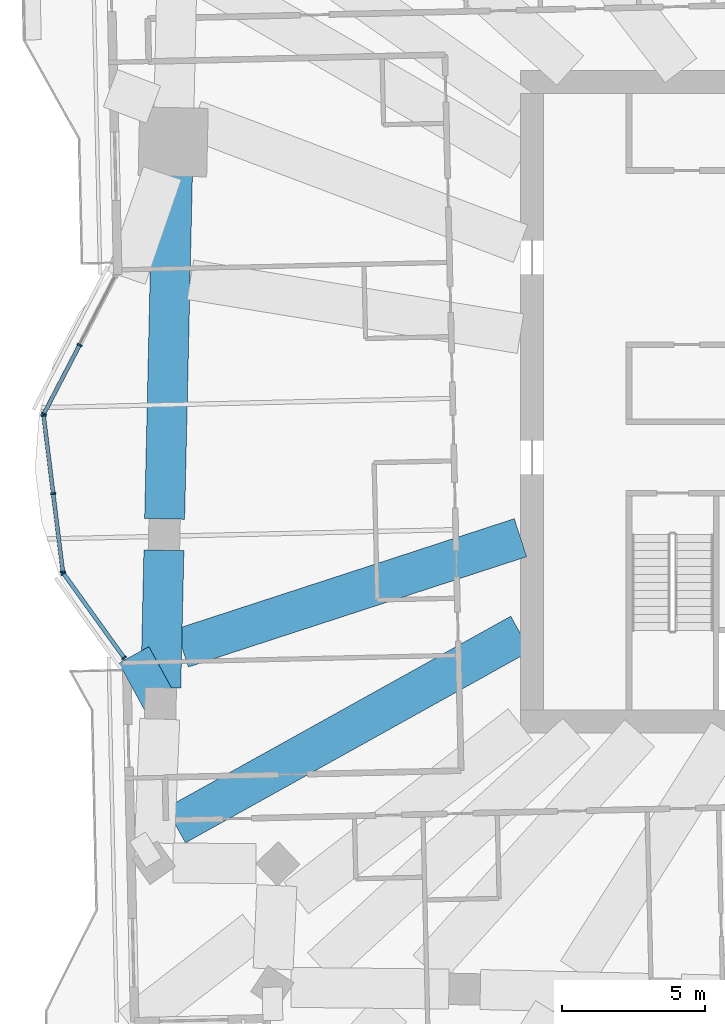
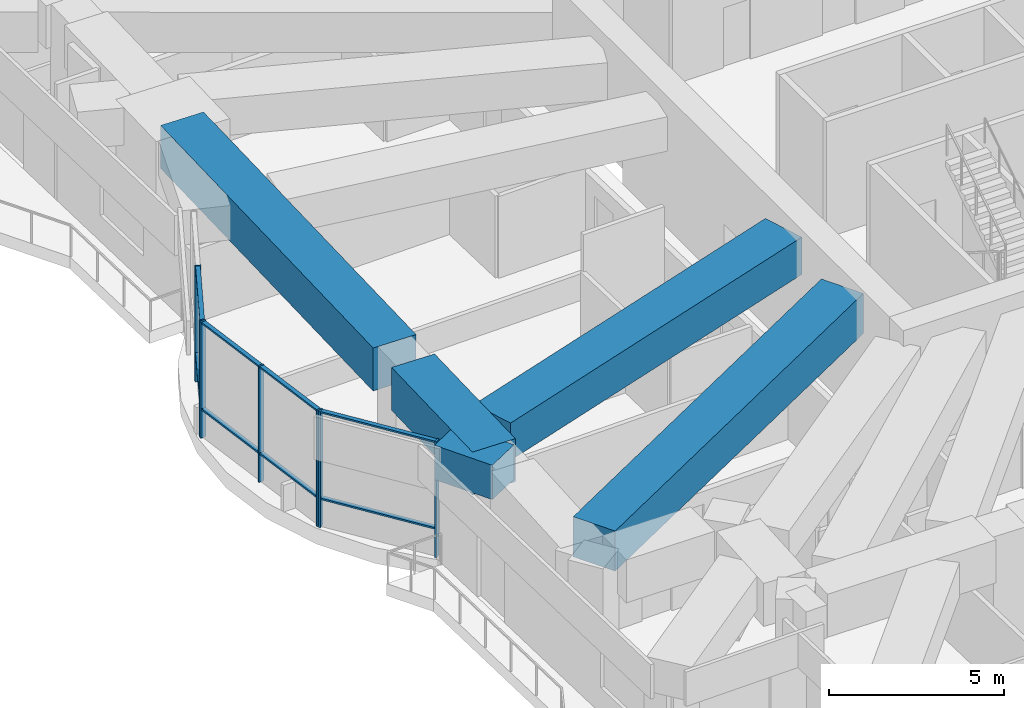
# One storey, part 2 of 19: 15 members, 5 beams, 3 elements without a shape of their own.
"""IFC4 building model written with IfcOpenShell, lengths in metres."""

from ifc_helpers import new_model, si_unit, direction, frame, origin, origin_2d, place, context, subcontext, project, spatial, rectangle, extrude, material, material_profile, profile_set, type_object, element, aggregate, save


model = new_model("IFC4")

# Units and contexts
model_context = context("Model", 3, precision=1e-05, world=origin(), true_north=direction((0.0, 1.0)))
body_context = subcontext(model_context, "Body", "Model", "MODEL_VIEW")
ifc_project = project(units=[si_unit("LENGTHUNIT", "METRE"), si_unit("AREAUNIT", "SQUARE_METRE"), si_unit("VOLUMEUNIT", "CUBIC_METRE"), si_unit("PLANEANGLEUNIT", "RADIAN"), si_unit("MASSUNIT", "GRAM", prefix="KILO")], contexts=[model_context])

# Site, building, storey
site_placement = place(None, origin())
site = spatial("IfcSite", under=ifc_project, at=site_placement, CompositionType="ELEMENT")
building_placement = place(site_placement, origin())
building = spatial("IfcBuilding", under=site, at=building_placement, Name="Mangrove Gate Tower", CompositionType="ELEMENT")
storey_placement = place(building_placement, frame((0.0, 0.0, 226.5)))
storey = spatial("IfcBuildingStorey", under=building, at=storey_placement, Name="L57", CompositionType="ELEMENT", Elevation=226.5)

# Curtain wall, members
ifc_material_1 = material(Name="Aluminium and glass curtain wall", Category="aluminium")
curtain_wall_type = type_object("IfcCurtainWallType", Name="Sky-lounge glazing wall", PredefinedType="NOTDEFINED", material=ifc_material_1)
curtain_wall_1_placement = place(storey_placement, origin())
curtain_wall_1 = element("IfcCurtainWall", 1, at=curtain_wall_1_placement, inside=storey, type_object=curtain_wall_type, Name="Sky-lounge glazing W9f1", PredefinedType="NOTDEFINED")
ifc_material_2 = material(Name="Aluminium alloy 6063-T6", Category="aluminium")
ifc_material_profile_1 = material_profile(ifc_material_2, rectangle(XDim=0.06005859375, YDim=0.179931640625, at=origin_2d()))
ifc_profile_set_1 = profile_set([ifc_material_profile_1], Name="Aluminium alloy 6063-T6")
member_type_1 = type_object("IfcMemberType", Name="Sky-lounge glazing mullion 60x180", PredefinedType="MULLION", material=ifc_profile_set_1)
member_1_placement = place(storey_placement, frame((-30.035888671875, 1.986572265625, 0.0), z_axis=(0.0, 0.0, 1.0), x_axis=(-0.460784924478, -0.887511832808, 0.0)))
member_1 = element("IfcMember", 2, at=member_1_placement, type_object=member_type_1, Name="CWK mullion 2", PredefinedType="MULLION", context=body_context, shape_type="SweptSolid", body=[
    extrude(rectangle(XDim=0.06005859375, YDim=0.179931640625, at=origin_2d()), origin(), (0.0, 0.0, 1.0), 4.050048828125),
])
member_2_placement = place(storey_placement, frame((-31.287109375, -0.42333984375, 0.0), z_axis=(0.0, 0.0, 1.0), x_axis=(-0.460784924478, -0.887511832808, 0.0)))
member_2 = element("IfcMember", 3, at=member_2_placement, type_object=member_type_1, Name="CWK mullion 3", PredefinedType="MULLION", context=body_context, shape_type="SweptSolid", body=[
    extrude(rectangle(XDim=0.06005859375, YDim=0.179931640625, at=origin_2d()), origin(), (0.0, 0.0, 1.0), 4.050048828125),
])

curtain_wall_2_placement = place(storey_placement, origin())
curtain_wall_2 = element("IfcCurtainWall", 4, at=curtain_wall_2_placement, inside=storey, type_object=curtain_wall_type, Name="Sky-lounge glazing W9f2", PredefinedType="NOTDEFINED")
member_3_placement = place(storey_placement, frame((-31.296875, -0.47998046875, 0.0), z_axis=(0.0, 0.0, 1.0), x_axis=(0.122172285885, -0.992508908051, 0.0)))
member_3 = element("IfcMember", 5, at=member_3_placement, type_object=member_type_1, Name="CWK mullion 1", PredefinedType="MULLION", context=body_context, shape_type="SweptSolid", body=[
    extrude(rectangle(XDim=0.06005859375, YDim=0.179931640625, at=origin_2d()), origin(), (0.0, 0.0, 1.0), 4.050048828125),
])
member_4_placement = place(storey_placement, frame((-30.960205078125, -3.216064453125, 0.0), z_axis=(0.0, 0.0, 1.0), x_axis=(0.122172285885, -0.992508908051, 0.0)))
member_4 = element("IfcMember", 6, at=member_4_placement, type_object=member_type_1, Name="CWK mullion 2", PredefinedType="MULLION", context=body_context, shape_type="SweptSolid", body=[
    extrude(rectangle(XDim=0.06005859375, YDim=0.179931640625, at=origin_2d()), origin(), (0.0, 0.0, 1.0), 4.050048828125),
])
member_5_placement = place(storey_placement, frame((-30.623291015625, -5.9521484375, 0.0), z_axis=(0.0, 0.0, 1.0), x_axis=(0.122172285885, -0.992508908051, 0.0)))
member_5 = element("IfcMember", 7, at=member_5_placement, type_object=member_type_1, Name="CWK mullion 3", PredefinedType="MULLION", context=body_context, shape_type="SweptSolid", body=[
    extrude(rectangle(XDim=0.06005859375, YDim=0.179931640625, at=origin_2d()), origin(), (0.0, 0.0, 1.0), 4.050048828125),
])

curtain_wall_3_placement = place(storey_placement, origin())
curtain_wall_3 = element("IfcCurtainWall", 8, at=curtain_wall_3_placement, inside=storey, type_object=curtain_wall_type, Name="Sky-lounge glazing W9f3", PredefinedType="NOTDEFINED")
member_6_placement = place(storey_placement, frame((-30.6025390625, -6.00634765625, 0.0), z_axis=(0.0, 0.0, 1.0), x_axis=(0.583736092156, -0.811943455368, 0.0)))
member_6 = element("IfcMember", 9, at=member_6_placement, type_object=member_type_1, Name="CWK mullion 1", PredefinedType="MULLION", context=body_context, shape_type="SweptSolid", body=[
    extrude(rectangle(XDim=0.06005859375, YDim=0.179931640625, at=origin_2d()), origin(), (0.0, 0.0, 1.0), 4.050048828125),
])
member_7_placement = place(storey_placement, frame((-28.4736328125, -8.967529296875, 0.0), z_axis=(0.0, 0.0, 1.0), x_axis=(0.583736092156, -0.811943455368, 0.0)))
member_7 = element("IfcMember", 10, at=member_7_placement, type_object=member_type_1, Name="CWK mullion 2", PredefinedType="MULLION", context=body_context, shape_type="SweptSolid", body=[
    extrude(rectangle(XDim=0.06005859375, YDim=0.179931640625, at=origin_2d()), origin(), (0.0, 0.0, 1.0), 4.050048828125),
])

# Member
ifc_material_3 = material(Name="Aluminium alloy 6063-T6", Category="aluminium")
ifc_material_profile_2 = material_profile(ifc_material_3, rectangle(XDim=0.06005859375, YDim=0.139892578125, at=origin_2d()))
ifc_profile_set_2 = profile_set([ifc_material_profile_2], Name="Aluminium alloy 6063-T6")
member_type_2 = type_object("IfcMemberType", Name="Sky-lounge glazing transom 60x140", PredefinedType="USERDEFINED", material=ifc_profile_set_2)
member_8_placement = place(storey_placement, frame((-30.0498046875, 1.9599609375, 1.0), z_axis=(-0.4608055222, -0.887501138427, 0.0), x_axis=(0.0, 0.0, 1.0)))
member_8 = element("IfcMember", 11, at=member_8_placement, type_object=member_type_2, Name="CWK transom 2.2", ObjectType="TRANSOM", PredefinedType="USERDEFINED", context=body_context, shape_type="SweptSolid", body=[
    extrude(rectangle(XDim=0.06005859375, YDim=0.139892578125, at=origin_2d()), origin(), (0.0, 0.0, 1.0), 2.655517578125),
])

member_9_placement = place(storey_placement, frame((-30.0498046875, 1.9599609375, 4.02001953125), z_axis=(-0.4608055222, -0.887501138427, 0.0), x_axis=(0.0, 0.0, 1.0)))
member_9 = element("IfcMember", 12, at=member_9_placement, type_object=member_type_2, Name="CWK transom 2.3", ObjectType="TRANSOM", PredefinedType="USERDEFINED", context=body_context, shape_type="SweptSolid", body=[
    extrude(rectangle(XDim=0.06005859375, YDim=0.139892578125, at=origin_2d()), origin(), (0.0, 0.0, 1.0), 2.655517578125),
])

aggregate(curtain_wall_1, [member_1, member_2, member_8, member_9])

member_10_placement = place(storey_placement, frame((-31.293212890625, -0.509765625, 1.0), z_axis=(0.122129132669, -0.992514219018, 0.0), x_axis=(0.0, 0.0, 1.0)))
member_10 = element("IfcMember", 13, at=member_10_placement, type_object=member_type_2, Name="CWK transom 1.2", ObjectType="TRANSOM", PredefinedType="USERDEFINED", context=body_context, shape_type="SweptSolid", body=[
    extrude(rectangle(XDim=0.06005859375, YDim=0.139892578125, at=origin_2d()), origin(), (0.0, 0.0, 1.0), 2.69677734375),
])

member_11_placement = place(storey_placement, frame((-31.293212890625, -0.509765625, 4.02001953125), z_axis=(0.122129132669, -0.992514219018, 0.0), x_axis=(0.0, 0.0, 1.0)))
member_11 = element("IfcMember", 14, at=member_11_placement, type_object=member_type_2, Name="CWK transom 1.3", ObjectType="TRANSOM", PredefinedType="USERDEFINED", context=body_context, shape_type="SweptSolid", body=[
    extrude(rectangle(XDim=0.06005859375, YDim=0.139892578125, at=origin_2d()), origin(), (0.0, 0.0, 1.0), 2.69677734375),
])

member_12_placement = place(storey_placement, frame((-30.95654296875, -3.245849609375, 1.0), z_axis=(0.122218313927, -0.992503241174, 0.0), x_axis=(0.0, 0.0, 1.0)))
member_12 = element("IfcMember", 15, at=member_12_placement, type_object=member_type_2, Name="CWK transom 2.2", ObjectType="TRANSOM", PredefinedType="USERDEFINED", context=body_context, shape_type="SweptSolid", body=[
    extrude(rectangle(XDim=0.06005859375, YDim=0.139892578125, at=origin_2d()), origin(), (0.0, 0.0, 1.0), 2.69677734375),
])

member_13_placement = place(storey_placement, frame((-30.95654296875, -3.245849609375, 4.02001953125), z_axis=(0.122218313927, -0.992503241174, 0.0), x_axis=(0.0, 0.0, 1.0)))
member_13 = element("IfcMember", 16, at=member_13_placement, type_object=member_type_2, Name="CWK transom 2.3", ObjectType="TRANSOM", PredefinedType="USERDEFINED", context=body_context, shape_type="SweptSolid", body=[
    extrude(rectangle(XDim=0.06005859375, YDim=0.139892578125, at=origin_2d()), origin(), (0.0, 0.0, 1.0), 2.69677734375),
])

aggregate(curtain_wall_2, [member_3, member_4, member_5, member_10, member_11, member_12, member_13])

member_14_placement = place(storey_placement, frame((-30.5849609375, -6.03076171875, 1.0), z_axis=(0.583739818723, -0.811940776188, 0.0), x_axis=(0.0, 0.0, 1.0)))
member_14 = element("IfcMember", 17, at=member_14_placement, type_object=member_type_2, Name="CWK transom 1.2", ObjectType="TRANSOM", PredefinedType="USERDEFINED", context=body_context, shape_type="SweptSolid", body=[
    extrude(rectangle(XDim=0.06005859375, YDim=0.139892578125, at=origin_2d()), origin(), (0.0, 0.0, 1.0), 3.587158203125),
])

member_15_placement = place(storey_placement, frame((-30.5849609375, -6.03076171875, 4.02001953125), z_axis=(0.583739818723, -0.811940776188, 0.0), x_axis=(0.0, 0.0, 1.0)))
member_15 = element("IfcMember", 18, at=member_15_placement, type_object=member_type_2, Name="CWK transom 1.3", ObjectType="TRANSOM", PredefinedType="USERDEFINED", context=body_context, shape_type="SweptSolid", body=[
    extrude(rectangle(XDim=0.06005859375, YDim=0.139892578125, at=origin_2d()), origin(), (0.0, 0.0, 1.0), 3.587158203125),
])

aggregate(curtain_wall_3, [member_6, member_7, member_14, member_15])

# Beams
ifc_material_4 = material(Name="Concrete C60/75", Category="concrete")
ifc_material_profile_3 = material_profile(ifc_material_4, rectangle(XDim=1.199951171875, YDim=1.199951171875, at=origin_2d()))
ifc_profile_set_3 = profile_set([ifc_material_profile_3], Name="Concrete C60/75")
beam_type_1 = type_object("IfcBeamType", Name="Transfer girder RC 1200x1200 C60/75", PredefinedType="BEAM", material=ifc_profile_set_3)
beam_1_placement = place(storey_placement, frame((-27.205078125, -10.5595703125, 3.449951171875), z_axis=(-0.480654267174, 0.876910186648, 0.0), x_axis=(-0.876910186648, -0.480654267174, 0.0)))
element("IfcBeam", 19, at=beam_1_placement, inside=storey, type_object=beam_type_1, Name="Transfer edge girder L57 00", PredefinedType="BEAM", context=body_context, shape_type="SweptSolid", body=[
    extrude(rectangle(XDim=1.199951171875, YDim=1.199951171875, at=origin_2d()), origin(), (0.0, 0.0, 1.0), 1.935302734375),
])
ifc_material_5 = material(Name="Concrete C60/75", Category="concrete")
ifc_material_profile_4 = material_profile(ifc_material_5, rectangle(XDim=1.39990234375, YDim=1.300048828125, at=origin_2d()))
ifc_profile_set_4 = profile_set([ifc_material_profile_4], Name="Concrete C60/75")
beam_type_2 = type_object("IfcBeamType", Name="Transfer girder RC 1400x1300 C60/75", PredefinedType="BEAM", material=ifc_profile_set_4)
beam_2_placement = place(storey_placement, frame((-14.60009765625, -4.759765625, 3.39990234375), z_axis=(-0.950747920783, -0.309965145018, 0.0), x_axis=(0.309965145018, -0.950747920783, 0.0)))
element("IfcBeam", 20, at=beam_2_placement, inside=storey, type_object=beam_type_2, Name="Transfer girder L57 00", PredefinedType="BEAM", context=body_context, shape_type="SweptSolid", body=[
    extrude(rectangle(XDim=1.39990234375, YDim=1.300048828125, at=origin_2d()), origin(), (0.0, 0.0, 1.0), 12.457275390625),
])
ifc_material_6 = material(Name="Concrete C60/75", Category="concrete")
ifc_material_profile_5 = material_profile(ifc_material_6, rectangle(XDim=1.39990234375, YDim=1.39990234375, at=origin_2d()))
ifc_profile_set_5 = profile_set([ifc_material_profile_5], Name="Concrete C60/75")
beam_type_3 = type_object("IfcBeamType", Name="Transfer girder RC 1400x1400 C60/75", PredefinedType="BEAM", material=ifc_profile_set_5)
beam_3_placement = place(storey_placement, frame((-14.60009765625, -8.119384765625, 3.35009765625), z_axis=(-0.873946216771, -0.486022643703, 0.0), x_axis=(0.486022643703, -0.873946216771, 0.0)))
element("IfcBeam", 21, at=beam_3_placement, inside=storey, type_object=beam_type_3, Name="Transfer girder L57 01", PredefinedType="BEAM", context=body_context, shape_type="SweptSolid", body=[
    extrude(rectangle(XDim=1.39990234375, YDim=1.39990234375, at=origin_2d()), origin(), (0.0, 0.0, 1.0), 13.809814453125),
])
ifc_material_7 = material(Name="Concrete C60/75", Category="concrete")
ifc_material_profile_6 = material_profile(ifc_material_7, rectangle(XDim=1.39990234375, YDim=1.5, at=origin_2d()))
ifc_profile_set_6 = profile_set([ifc_material_profile_6], Name="Concrete C60/75")
beam_type_4 = type_object("IfcBeamType", Name="Transfer girder RC 1400x1500 C60/75", PredefinedType="BEAM", material=ifc_profile_set_6)
beam_4_placement = place(storey_placement, frame((-27.08349609375, -5.19921875, 3.300048828125), z_axis=(-0.022679913805, -0.999742777673, 0.0), x_axis=(0.999742777673, -0.022679913805, 0.0)))
element("IfcBeam", 22, at=beam_4_placement, inside=storey, type_object=beam_type_4, Name="Transfer ring girder L57 00", PredefinedType="BEAM", context=body_context, shape_type="SweptSolid", body=[
    extrude(rectangle(XDim=1.39990234375, YDim=1.5, at=origin_2d()), origin(), (0.0, 0.0, 1.0), 4.811767578125),
])
beam_5_placement = place(storey_placement, frame((-26.771728515625, 8.548583984375, 3.300048828125), z_axis=(-0.02267450167, -0.999742900437, 0.0), x_axis=(0.999742900437, -0.02267450167, 0.0)))
element("IfcBeam", 23, at=beam_5_placement, inside=storey, type_object=beam_type_4, Name="Transfer ring girder L57 29", PredefinedType="BEAM", context=body_context, shape_type="SweptSolid", body=[
    extrude(rectangle(XDim=1.39990234375, YDim=1.5, at=origin_2d()), origin(), (0.0, 0.0, 1.0), 12.6513671875),
])

save(model, "model.ifc")
